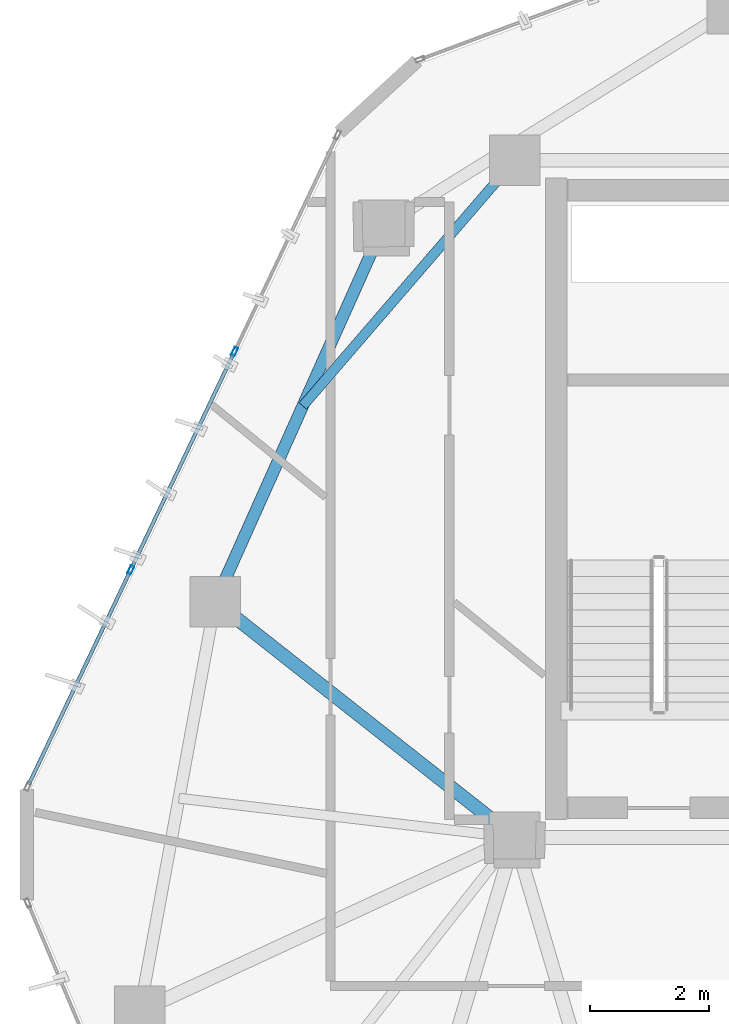
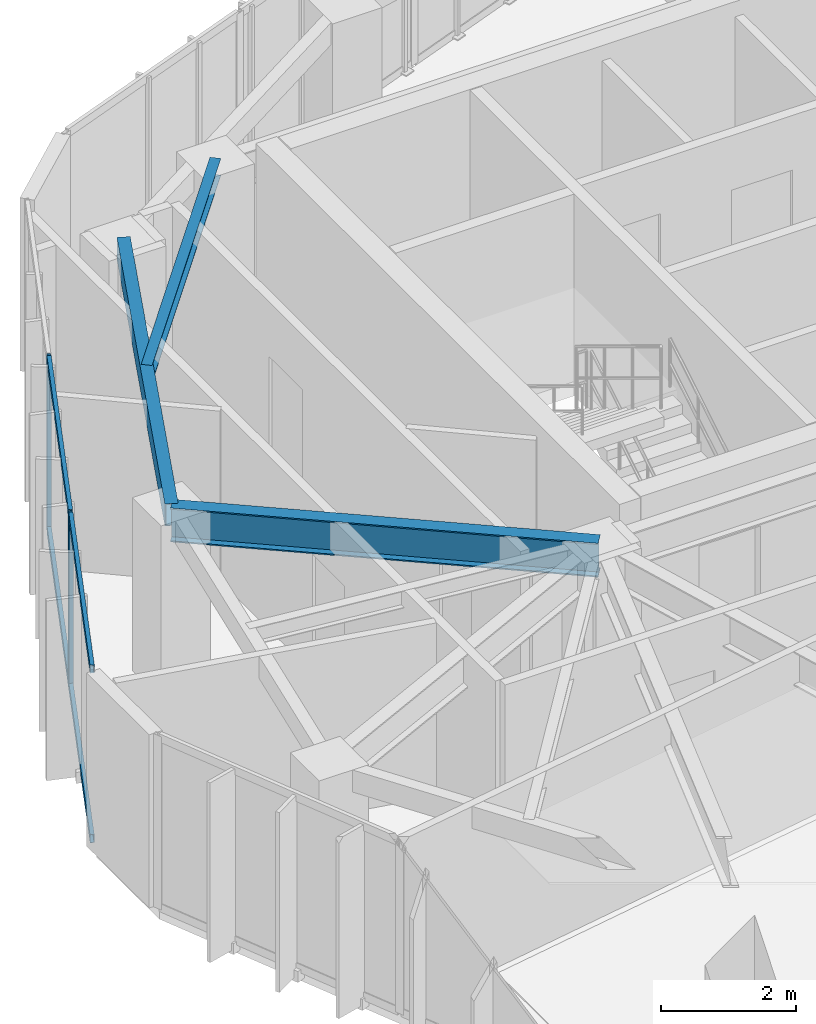
# One storey, part 8 of 20: 6 members, 3 beams, 1 element without a shape of its own.
"""IFC4 building model written with IfcOpenShell, lengths in metres."""

from ifc_helpers import new_model, si_unit, direction, frame, origin, origin_2d, place, context, subcontext, project, spatial, hollow_rectangle, i_section, extrude, source, transform, mapped, material, layer, layer_set, material_profile, profile_set, type_object, type_shapes, element, aggregate, save


model = new_model("IFC4")

# Units and contexts
model_context = context("Model", 3, precision=1e-05, world=origin(), true_north=direction((0.0, 1.0)))
body_context = subcontext(model_context, "Body", "Model", "MODEL_VIEW")
ifc_project = project(units=[si_unit("LENGTHUNIT", "METRE"), si_unit("AREAUNIT", "SQUARE_METRE"), si_unit("VOLUMEUNIT", "CUBIC_METRE"), si_unit("PLANEANGLEUNIT", "RADIAN"), si_unit("MASSUNIT", "GRAM", prefix="KILO")], contexts=[model_context])

# Site, building, storey
site_placement = place(None, origin())
site = spatial("IfcSite", under=ifc_project, at=site_placement, CompositionType="ELEMENT")
building_placement = place(site_placement, origin())
building = spatial("IfcBuilding", under=site, at=building_placement, Name="Talar Marvaseh", CompositionType="ELEMENT")
storey_placement = place(building_placement, frame((0.0, 0.0, 281.60009765625)))
storey = spatial("IfcBuildingStorey", under=building, at=storey_placement, Name="L75", CompositionType="ELEMENT", Elevation=281.60009765625)

# Beams
ifc_material_1 = material(Name="Steel S355", Category="steel")
ifc_material_profile_1 = material_profile(ifc_material_1, hollow_rectangle(XDim=0.199951171875, YDim=0.39990234375, WallThickness=0.013916015625, at=origin_2d()), Name="RHS400x200x14")
ifc_profile_set_1 = profile_set([ifc_material_profile_1], Name="Steel S355")
beam_type_1 = type_object("IfcBeamType", Name="Zone 3 Perimeter Spandrel Beam RHS400x200x14", PredefinedType="SPANDREL", material=ifc_profile_set_1)
beam_1_placement = place(storey_placement, frame((13.657958984375, 29.469970703125, 2.93994140625), z_axis=(0.408486346803, 0.912764429892, 0.0), x_axis=(-0.912764429892, 0.408486346803, 0.0)))
element("IfcBeam", 1, at=beam_1_placement, inside=storey, type_object=beam_type_1, Name="L75 Zone 3 Perimeter Spandrel Beam RHS400x200x14", PredefinedType="SPANDREL", context=body_context, shape_type="SweptSolid", body=[
    extrude(hollow_rectangle(XDim=0.199951171875, YDim=0.39990234375, WallThickness=0.013916015625, at=origin_2d()), origin(), (0.0, 0.0, 1.0), 6.942626953125),
])
ifc_material_profile_2 = material_profile(ifc_material_1, i_section(OverallWidth=0.166015625, OverallDepth=0.31298828125, WebThickness=0.006591796875, FlangeThickness=0.01123046875, at=origin_2d()), Name="W310x45")
ifc_profile_set_2 = profile_set([ifc_material_profile_2], Name="Steel S355")
beam_type_2 = type_object("IfcBeamType", Name="Zone 3 Secondary Floor Joist W310x45", PredefinedType="JOIST", material=ifc_profile_set_2)
beam_2_placement = place(storey_placement, frame((15.1328125, 32.76513671875, 2.9833984375), z_axis=(0.653221697747, 0.757166701323, 0.0), x_axis=(-0.757166701323, 0.653221697747, 0.0)))
element("IfcBeam", 2, at=beam_2_placement, inside=storey, type_object=beam_type_2, Name="L75 Zone 3 Secondary Floor Joist W310x45", PredefinedType="JOIST", context=body_context, shape_type="SweptSolid", body=[
    extrude(i_section(OverallWidth=0.166015625, OverallDepth=0.31298828125, WebThickness=0.006591796875, FlangeThickness=0.01123046875, at=origin_2d()), origin(), (0.0, 0.0, 1.0), 5.4609375),
])
ifc_material_profile_3 = material_profile(ifc_material_1, i_section(OverallWidth=0.22998046875, OverallDepth=0.616943359375, WebThickness=0.01318359375, FlangeThickness=0.022216796875, at=origin_2d()), Name="W610x140")
ifc_profile_set_3 = profile_set([ifc_material_profile_3], Name="Steel S355")
beam_type_3 = type_object("IfcBeamType", Name="Zone 4 Radial Floor Girder W610x140", PredefinedType="BEAM", material=ifc_profile_set_3)
beam_3_placement = place(storey_placement, frame((13.657958984375, 29.469970703125, 2.831298828125), z_axis=(0.785681617372, -0.618631066245, 0.0), x_axis=(0.618631066245, 0.785681617372, 0.0)))
element("IfcBeam", 3, at=beam_3_placement, inside=storey, type_object=beam_type_3, Name="L75 Zone 4 Radial Floor Girder W610x140", PredefinedType="BEAM", context=body_context, shape_type="SweptSolid", body=[
    extrude(i_section(OverallWidth=0.22998046875, OverallDepth=0.616943359375, WebThickness=0.01318359375, FlangeThickness=0.022216796875, at=origin_2d()), origin(), (0.0, 0.0, 1.0), 6.417236328125),
])

# Curtain wall, members
ifc_material_2 = material(Name="Architectural Aluminium", Category="aluminium")
ifc_layer = layer(ifc_material_2, 0.179931640625)
ifc_layer_set = layer_set([ifc_layer], Name="Architectural Aluminium")
curtain_wall_type = type_object("IfcCurtainWallType", Name="Unitised High-Wind Sky Curtain Wall Z4", PredefinedType="NOTDEFINED", material=ifc_layer_set)
curtain_wall_placement = place(storey_placement, origin())
curtain_wall = element("IfcCurtainWall", 4, at=curtain_wall_placement, inside=storey, type_object=curtain_wall_type, Name="L75 Unitised High-Wind Sky Curtain Wall Z4", PredefinedType="NOTDEFINED")
ifc_material_profile_4 = material_profile(ifc_material_2, hollow_rectangle(XDim=0.06494140625, YDim=0.14990234375, WallThickness=0.00390625, at=origin_2d()), Name="RHS150x65x4")
ifc_profile_set_4 = profile_set([ifc_material_profile_4], Name="Architectural Aluminium")
member_type_1 = type_object("IfcMemberType", Name="Unitised Curtain Wall Slim Mullion RHS150x65x4", PredefinedType="MULLION", material=ifc_profile_set_4)
shared_shape_1 = source(origin(), body_context, "Body", "SweptSolid", [
    extrude(hollow_rectangle(XDim=0.06494140625, YDim=0.14990234375, WallThickness=0.00390625, at=origin_2d()), origin(), (0.0, 0.0, 1.0), 3.139892578125),
])
type_shapes(member_type_1, [shared_shape_1])
member_1_placement = place(storey_placement, frame((12.237548828125, 30.005615234375, 0.0), z_axis=(0.0, 0.0, 1.0), x_axis=(-0.903095565784, 0.42943963378, 0.0)))
member_1 = element("IfcMember", 5, at=member_1_placement, type_object=member_type_1, Name="CW-Z4 mullion 2", PredefinedType="MULLION", context=body_context, shape_type="MappedRepresentation", body=[
    mapped(shared_shape_1, transform((0.0, 0.0, 0.0), x_axis=(1.0, 0.0, 0.0), y_axis=(0.0, 1.0, 0.0), z_axis=(0.0, 0.0, 1.0), scale=1.0)),
])
member_2_placement = place(storey_placement, frame((13.98486328125, 33.679931640625, 0.0), z_axis=(0.0, 0.0, 1.0), x_axis=(-0.903095565784, 0.42943963378, 0.0)))
member_2 = element("IfcMember", 6, at=member_2_placement, type_object=member_type_1, Name="CW-Z4 mullion 3", PredefinedType="MULLION", context=body_context, shape_type="MappedRepresentation", body=[
    mapped(shared_shape_1, transform((0.0, 0.0, 0.0), x_axis=(1.0, 0.0, 0.0), y_axis=(0.0, 1.0, 0.0), z_axis=(0.0, 0.0, 1.0), scale=1.0)),
])
ifc_material_profile_5 = material_profile(ifc_material_2, hollow_rectangle(XDim=0.06494140625, YDim=0.14990234375, WallThickness=0.00390625, at=origin_2d()), Name="RHS150x65x4")
ifc_profile_set_5 = profile_set([ifc_material_profile_5], Name="Architectural Aluminium")
member_type_2 = type_object("IfcMemberType", Name="Unitised Curtain Wall Slim Transom RHS150x65x4", PredefinedType="USERDEFINED", material=ifc_profile_set_5)
shared_shape_2 = source(origin(), body_context, "Body", "SweptSolid", [
    extrude(hollow_rectangle(XDim=0.06494140625, YDim=0.14990234375, WallThickness=0.00390625, at=origin_2d()), origin(), (0.0, 0.0, 1.0), 3.97119140625),
])
member_3_placement = place(storey_placement, frame((10.518310546875, 26.389892578125, 0.032470703125), z_axis=(0.429420440771, 0.903104692186, 0.0), x_axis=(-0.903104692186, 0.429420440771, 0.0)))
member_3 = element("IfcMember", 7, at=member_3_placement, type_object=member_type_2, Name="CW-Z4 transom 1.1", ObjectType="TRANSOM", PredefinedType="USERDEFINED", context=body_context, shape_type="MappedRepresentation", body=[
    mapped(shared_shape_2, transform((0.0, 0.0, 0.0), x_axis=(1.0, 0.0, 0.0), y_axis=(0.0, 1.0, 0.0), z_axis=(0.0, 0.0, 1.0), scale=1.0)),
])
member_4_placement = place(storey_placement, frame((10.518310546875, 26.389892578125, 3.107421875), z_axis=(0.429420440771, 0.903104692186, 0.0), x_axis=(-0.903104692186, 0.429420440771, 0.0)))
member_4 = element("IfcMember", 8, at=member_4_placement, type_object=member_type_2, Name="CW-Z4 transom 1.2", ObjectType="TRANSOM", PredefinedType="USERDEFINED", context=body_context, shape_type="MappedRepresentation", body=[
    mapped(shared_shape_2, transform((0.0, 0.0, 0.0), x_axis=(1.0, 0.0, 0.0), y_axis=(0.0, 1.0, 0.0), z_axis=(0.0, 0.0, 1.0), scale=1.0)),
])
shared_shape_3 = source(origin(), body_context, "Body", "SweptSolid", [
    extrude(hollow_rectangle(XDim=0.06494140625, YDim=0.14990234375, WallThickness=0.00390625, at=origin_2d()), origin(), (0.0, 0.0, 1.0), 4.003662109375),
])
type_shapes(member_type_2, [shared_shape_2, shared_shape_3])
member_5_placement = place(storey_placement, frame((12.25146484375, 30.034912109375, 0.032470703125), z_axis=(0.42941749528, 0.903106092742, 0.0), x_axis=(-0.903106092742, 0.42941749528, 0.0)))
member_5 = element("IfcMember", 9, at=member_5_placement, type_object=member_type_2, Name="CW-Z4 transom 2.1", ObjectType="TRANSOM", PredefinedType="USERDEFINED", context=body_context, shape_type="MappedRepresentation", body=[
    mapped(shared_shape_3, transform((0.0, 0.0, 0.0), x_axis=(1.0, 0.0, 0.0), y_axis=(0.0, 1.0, 0.0), z_axis=(0.0, 0.0, 1.0), scale=1.0)),
])
member_6_placement = place(storey_placement, frame((12.25146484375, 30.034912109375, 3.107421875), z_axis=(0.42941749528, 0.903106092742, 0.0), x_axis=(-0.903106092742, 0.42941749528, 0.0)))
member_6 = element("IfcMember", 10, at=member_6_placement, type_object=member_type_2, Name="CW-Z4 transom 2.2", ObjectType="TRANSOM", PredefinedType="USERDEFINED", context=body_context, shape_type="MappedRepresentation", body=[
    mapped(shared_shape_3, transform((0.0, 0.0, 0.0), x_axis=(1.0, 0.0, 0.0), y_axis=(0.0, 1.0, 0.0), z_axis=(0.0, 0.0, 1.0), scale=1.0)),
])
aggregate(curtain_wall, [member_1, member_2, member_3, member_4, member_5, member_6])

save(model, "model.ifc")
